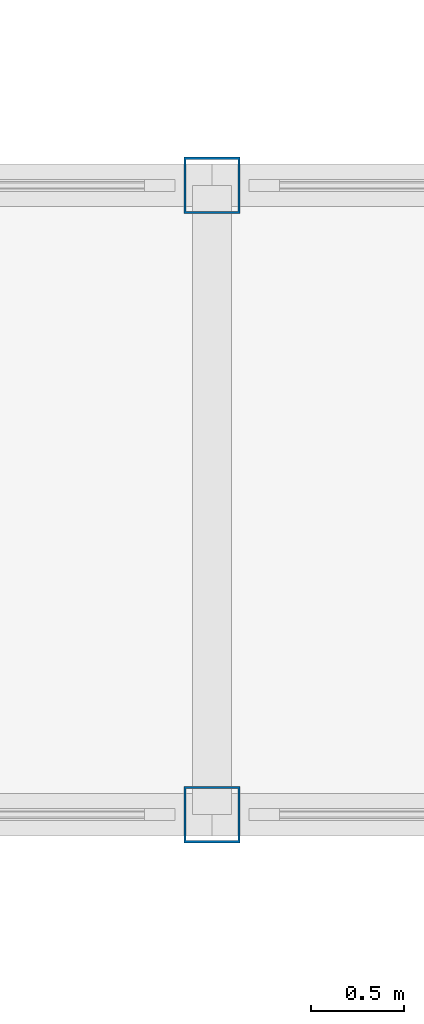
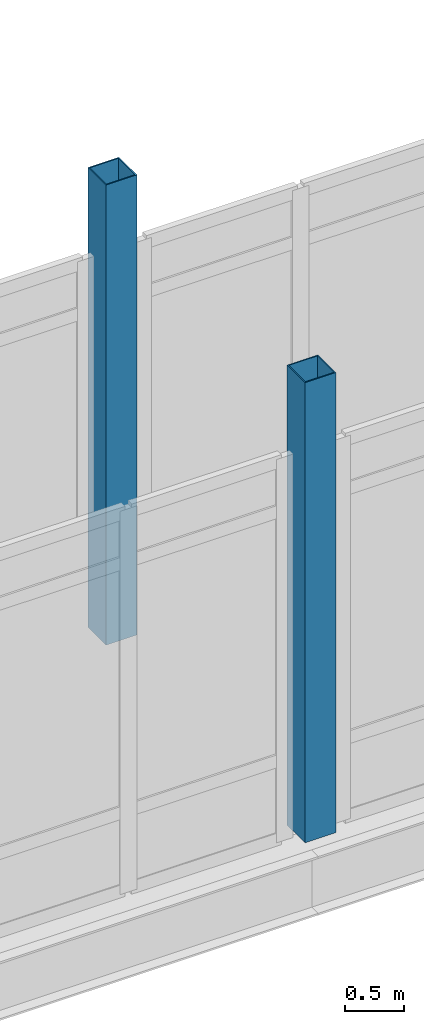
# One storey, part 8 of 125: 2 columns.
"""IFC4 building model written with IfcOpenShell, lengths in metres."""

from ifc_helpers import new_model, si_unit, direction, frame, origin, origin_2d, place, context, subcontext, project, spatial, hollow_rectangle, extrude, material, material_profile, profile_set, type_object, element, save


model = new_model("IFC4")

# Units and contexts
model_context = context("Model", 3, precision=1e-05, world=origin(), true_north=direction((0.0, 1.0)))
body_context = subcontext(model_context, "Body", "Model", "MODEL_VIEW")
ifc_project = project(units=[si_unit("LENGTHUNIT", "METRE"), si_unit("AREAUNIT", "SQUARE_METRE"), si_unit("VOLUMEUNIT", "CUBIC_METRE"), si_unit("PLANEANGLEUNIT", "RADIAN"), si_unit("MASSUNIT", "GRAM", prefix="KILO")], contexts=[model_context])

# Site, building, storey
site_placement = place(None, origin())
site = spatial("IfcSite", under=ifc_project, at=site_placement, CompositionType="ELEMENT")
building_placement = place(site_placement, origin())
building = spatial("IfcBuilding", under=site, at=building_placement, Name="Dornvale Research Institute", CompositionType="ELEMENT")
storey_placement = place(building_placement, frame((0.0, 0.0, 5.39990234375)))
storey = spatial("IfcBuildingStorey", under=building, at=storey_placement, Name="L01", CompositionType="ELEMENT", Elevation=5.39990234375)

# Columns
ifc_material = material(Name="Steel ASTM A500 Grade C", Category="steel")
ifc_material_profile = material_profile(ifc_material, hollow_rectangle(XDim=0.304931640625, YDim=0.304931640625, WallThickness=0.01171875, at=origin_2d()), Name="HSS305X305X12.7")
ifc_profile_set = profile_set([ifc_material_profile], Name="Steel ASTM A500 Grade C")
column_type = type_object("IfcColumnType", Name="Column_Steel_HSS305_Ext", PredefinedType="COLUMN", material=ifc_profile_set)
for number, where, z_axis, x_axis, name in (
    (1, (59.39990234375, 113.10009765625, 0.0), (0.0, 0.0, 1.0), (1.0, 0.0, 0.0), "L01 cloister link bridge pier #3"),
    (2, (59.39990234375, 116.5, 0.0), (0.0, 0.0, 1.0), (1.0, 0.0, 0.0), "L01 cloister link bridge pier #18"),
):
    element("IfcColumn", number, at=place(storey_placement, frame(where, z_axis=z_axis, x_axis=x_axis)), inside=storey, type_object=column_type, Name=name, PredefinedType="COLUMN", context=body_context, shape_type="SweptSolid", body=[
        extrude(hollow_rectangle(XDim=0.304931640625, YDim=0.304931640625, WallThickness=0.01171875, at=origin_2d()), origin(), (0.0, 0.0, 1.0), 4.800048828125),
    ])

save(model, "model.ifc")
